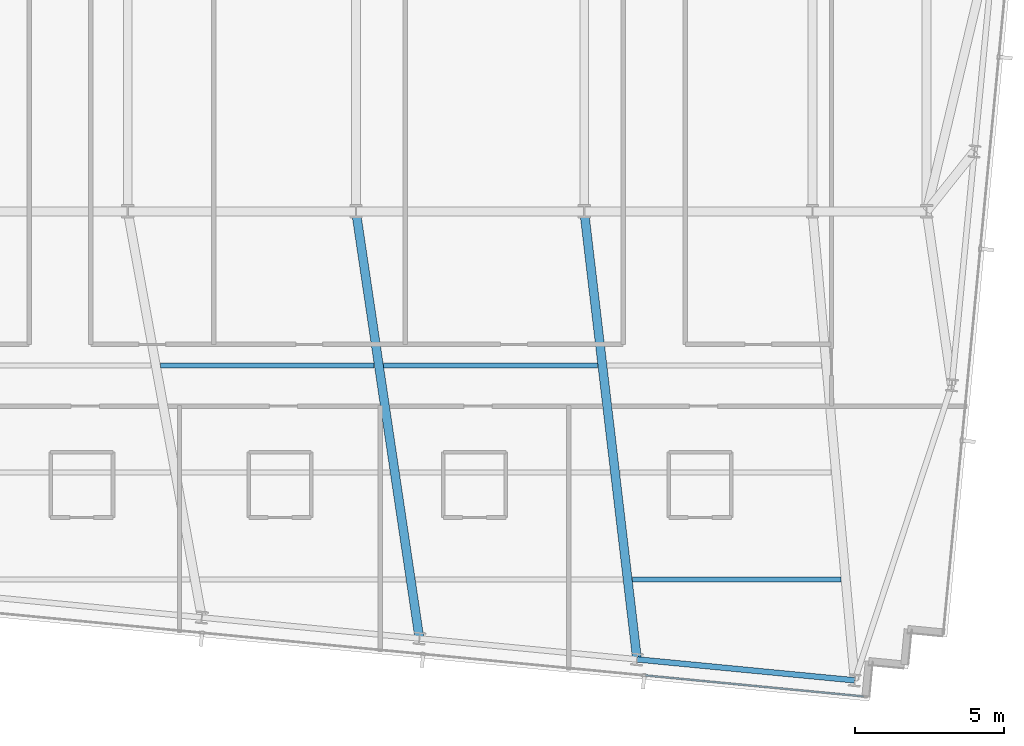
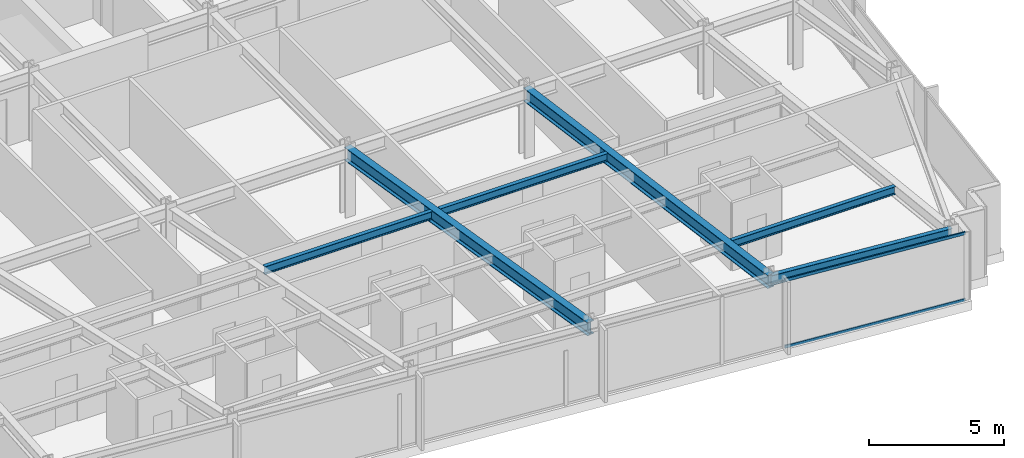
# One storey, part 13 of 37: 6 beams, 2 members, 1 element without a shape of its own.
"""IFC4 building model written with IfcOpenShell, lengths in metres."""

import ifcopenshell
import ifcopenshell.guid

model = None  # the IFC model being written
_history = None  # IfcOwnerHistory: only IFC2X3 demands one
_inside = {}  # id of a spatial element -> (the spatial element, [elements in it])
_under = {}  # id of a project, library or spatial element -> (it, [spatial elements below it])
_declared = {}  # id of a project -> (the project, [libraries it declares])
_typed = {}  # id of a type object -> (the type object, [elements of that type])
_made_of = {}  # id of a material, layer set ... -> (it, [elements and type objects made of it])


def new_model(schema):
    """Start an empty IFC model of exactly this schema.

    Asked for "IFC4X3", IfcOpenShell would pick the latest addendum, in which some entities
    have other attributes; the version numbers below select the first issue.
    IFC2X3 requires an IfcOwnerHistory on every rooted entity: one is made here for all.
    """
    global model, _history
    if schema == "IFC4X3":
        model = ifcopenshell.file(schema_version=(4, 3, 0, 0))
    else:
        model = ifcopenshell.file(schema=schema)
    _inside.clear()
    _under.clear()
    _declared.clear()
    _typed.clear()
    _made_of.clear()
    _history = None
    if model.schema == "IFC2X3":
        org = make("IfcOrganization", Name="unknown")
        user = make(
            "IfcPersonAndOrganization",
            ThePerson=make("IfcPerson", FamilyName="unknown"),
            TheOrganization=org,
        )
        app = make(
            "IfcApplication",
            ApplicationDeveloper=org,
            Version="unknown",
            ApplicationFullName="unknown",
            ApplicationIdentifier="unknown",
        )
        _history = make(
            "IfcOwnerHistory",
            OwningUser=user,
            OwningApplication=app,
            ChangeAction="ADDED",
            CreationDate=0,
        )
    return model


def make(cls, **values):
    """One entity of the class cls with the attributes given. An attribute that is None is left unset."""
    return model.create_entity(
        cls, **{name: value for name, value in values.items() if value is not None}
    )


def rooted(cls, **values):
    """An entity with a GlobalId (a new one), such as an element, a storey or a relation."""
    return make(cls, GlobalId=ifcopenshell.guid.new(), OwnerHistory=_history, **values)


def si_unit(unit_type, name, prefix=None):
    """IfcSIUnit, for example si_unit("LENGTHUNIT", "METRE", prefix="MILLI")."""
    return make("IfcSIUnit", UnitType=unit_type, Prefix=prefix, Name=name)


def assignment(units):
    """IfcUnitAssignment: the units of a project."""
    return None if units is None else make("IfcUnitAssignment", Units=units)


def point(xyz):
    """IfcCartesianPoint."""
    return None if xyz is None else make("IfcCartesianPoint", Coordinates=xyz)


def direction(xyz):
    """IfcDirection."""
    return None if xyz is None else make("IfcDirection", DirectionRatios=xyz)


def frame(location, z_axis=None, x_axis=None):
    """IfcAxis2Placement3D, a coordinate frame: its origin and axes. An axis left out is left unset."""
    return make(
        "IfcAxis2Placement3D",
        Location=point(location),
        Axis=direction(z_axis),
        RefDirection=direction(x_axis),
    )


def frame_2d(location, x_axis=None):
    """IfcAxis2Placement2D, a coordinate frame in the plane: its origin and x axis."""
    return make(
        "IfcAxis2Placement2D", Location=point(location), RefDirection=direction(x_axis)
    )


def origin():
    """The frame at (0, 0, 0) with its axes left unset."""
    return frame((0.0, 0.0, 0.0))


def origin_2d():
    """The frame at (0, 0) in the plane with its x axis left unset."""
    return frame_2d((0.0, 0.0))


def place(relative_to, where):
    """IfcLocalPlacement: puts the frame where relative to a parent placement (None: the world)."""
    return make(
        "IfcLocalPlacement", PlacementRelTo=relative_to, RelativePlacement=where
    )


def context(
    kind, dimensions, precision=None, world=None, true_north=None, identifier=None
):
    """IfcGeometricRepresentationContext, for example the 3D "Model" context."""
    return make(
        "IfcGeometricRepresentationContext",
        ContextIdentifier=identifier,
        ContextType=kind,
        CoordinateSpaceDimension=dimensions,
        Precision=precision,
        WorldCoordinateSystem=world,
        TrueNorth=true_north,
    )


def subcontext(parent, identifier, kind, view, scale=None):
    """IfcGeometricRepresentationSubContext, for example "Body" below "Model"."""
    return make(
        "IfcGeometricRepresentationSubContext",
        ContextIdentifier=identifier,
        ContextType=kind,
        ParentContext=parent,
        TargetScale=scale,
        TargetView=view,
    )


def project(units=None, contexts=None):
    """IfcProject with its units and contexts."""
    return rooted(
        "IfcProject",
        Name="project",
        RepresentationContexts=contexts,
        UnitsInContext=assignment(units),
    )


def spatial(cls, under=None, at=None, **own):
    """A site, building, storey or space (cls), placed at a placement, below another one or the project."""
    s = rooted(cls, ObjectPlacement=at, **own)
    if under is not None:
        _under.setdefault(under.id(), (under, []))[1].append(s)
    return s


def profile(cls, at=None, kind="AREA", **sizes):
    """A parametric profile (cls). Its sizes go by their IFC names, for example OverallWidth=200.0."""
    return make(cls, ProfileType=kind, Position=at, **sizes)


def hollow_rectangle(**sizes):
    """IfcRectangleHollowProfileDef."""
    return profile("IfcRectangleHollowProfileDef", **sizes)


def i_section(**sizes):
    """IfcIShapeProfileDef."""
    return profile("IfcIShapeProfileDef", **sizes)


def extrude(swept, where, along, depth):
    """IfcExtrudedAreaSolid: the profile swept, set in the frame where, extruded along a direction by depth."""
    return make(
        "IfcExtrudedAreaSolid",
        SweptArea=swept,
        Position=where,
        ExtrudedDirection=direction(along),
        Depth=depth,
    )


def shape(context_of_items, identifier, shape_type, items):
    """IfcShapeRepresentation: the items that make up one representation, for example the "Body"."""
    return make(
        "IfcShapeRepresentation",
        ContextOfItems=context_of_items,
        RepresentationIdentifier=identifier,
        RepresentationType=shape_type,
        Items=items,
    )


def material(Name=None, Category=None):
    """IfcMaterial."""
    return make("IfcMaterial", Name=Name, Category=Category)


def material_profile(
    of_material, cross_section, Name=None, Category=None, Priority=None
):
    """IfcMaterialProfile: a cross section and its material."""
    return make(
        "IfcMaterialProfile",
        Name=Name,
        Material=of_material,
        Profile=cross_section,
        Priority=Priority,
        Category=Category,
    )


def profile_set(profiles, Name=None, composite=None):
    """IfcMaterialProfileSet."""
    return make(
        "IfcMaterialProfileSet",
        Name=Name,
        MaterialProfiles=profiles,
        CompositeProfile=composite,
    )


def made_of(thing, what):
    """Note that an element or type object is made of a material, layer set ...; save() writes the relation."""
    if what is not None:
        _made_of.setdefault(what.id(), (what, []))[1].append(thing)
    return thing


def type_object(cls, material=None, **own):
    """A type object (cls), such as IfcWallType, which elements share."""
    return made_of(rooted(cls, **own), material)


def element(
    cls,
    number,
    at=None,
    inside=None,
    cuts=None,
    type_object=None,
    material=None,
    context=None,
    identifier="Body",
    shape_type=None,
    held_by="IfcProductDefinitionShape",
    body=None,
    shapes=None,
    **own,
):
    """One element of the class cls, such as IfcWall. Its Tag is "e" and its number.

    at: its placement. inside: the storey or other place that contains it. cuts: it is an
    opening in that element (IfcRelVoidsElement). A single representation is given by context,
    identifier, shape_type and body (its items); several are given by shapes. held_by: the class
    of the entity that holds the representations. save() writes the other relations.
    """
    e = rooted(cls, Tag="e%d" % number, ObjectPlacement=at, **own)
    if body is not None:
        shapes = [shape(context, identifier, shape_type, body)]
    if shapes is not None:
        e.Representation = make(held_by, Representations=shapes)
    if inside is not None:
        _inside.setdefault(inside.id(), (inside, []))[1].append(e)
    if cuts is not None:
        rooted(
            "IfcRelVoidsElement", RelatingBuildingElement=cuts, RelatedOpeningElement=e
        )
    if type_object is not None:
        _typed.setdefault(type_object.id(), (type_object, []))[1].append(e)
    return made_of(e, material)


def aggregate(whole, parts):
    """IfcRelAggregates: a whole, such as a stair, and the parts it consists of."""
    return rooted("IfcRelAggregates", RelatingObject=whole, RelatedObjects=parts)


def save(model, path):
    """Write the relations noted so far, then the file.

    IfcRelAggregates (storeys below a building ...), IfcRelContainedInSpatialStructure (elements
    in a storey), IfcRelDefinesByType, IfcRelAssociatesMaterial and IfcRelDeclares: one each for
    every whole, place, type object, material and project.
    """
    for whole, parts in _under.values():
        aggregate(whole, parts)
    for where, things in _inside.values():
        rooted(
            "IfcRelContainedInSpatialStructure",
            RelatedElements=things,
            RelatingStructure=where,
        )
    for kind, things in _typed.values():
        rooted("IfcRelDefinesByType", RelatedObjects=things, RelatingType=kind)
    for what, things in _made_of.values():
        rooted("IfcRelAssociatesMaterial", RelatedObjects=things, RelatingMaterial=what)
    for by, libraries in _declared.values():
        rooted("IfcRelDeclares", RelatingContext=by, RelatedDefinitions=libraries)
    model.write(path)


model = new_model("IFC4")

# Units and contexts
model_context = context("Model", 3, precision=1e-05, world=origin(), true_north=direction((0.0, 1.0)))
body_context = subcontext(model_context, "Body", "Model", "MODEL_VIEW")
ifc_project = project(units=[si_unit("LENGTHUNIT", "METRE"), si_unit("AREAUNIT", "SQUARE_METRE"), si_unit("VOLUMEUNIT", "CUBIC_METRE"), si_unit("PLANEANGLEUNIT", "RADIAN"), si_unit("MASSUNIT", "GRAM", prefix="KILO")], contexts=[model_context])

# Site, building, storey
site_placement = place(None, origin())
site = spatial("IfcSite", under=ifc_project, at=site_placement, CompositionType="ELEMENT")
building_placement = place(site_placement, origin())
building = spatial("IfcBuilding", under=site, at=building_placement, Name="Yelkora Congress Tower", CompositionType="ELEMENT")
storey_placement = place(building_placement, frame((0.0, 0.0, 149.0)))
storey = spatial("IfcBuildingStorey", under=building, at=storey_placement, Name="L40", CompositionType="ELEMENT", Elevation=149.0)

# Beams
ifc_material_1 = material(Name="Steel S355J2", Category="steel")
ifc_material_profile_1 = material_profile(ifc_material_1, i_section(OverallWidth=0.300048828125, OverallDepth=0.60009765625, WebThickness=0.015380859375, FlangeThickness=0.030029296875, FilletRadius=0.027099609375, at=origin_2d()), Name="HEB 600")
ifc_profile_set_1 = profile_set([ifc_material_profile_1], Name="Steel S355J2")
beam_type_1 = type_object("IfcBeamType", Name="BM-GIRD-HEB600", PredefinedType="BEAM", material=ifc_profile_set_1)
beam_1_placement = place(storey_placement, frame((40.53564453125, 10.83154296875, 2.780029296875), z_axis=(-0.147026183693, 0.989132600468, 0.0), x_axis=(-0.989132600468, -0.147026183693, 0.0)))
element("IfcBeam", 1, at=beam_1_placement, inside=storey, type_object=beam_type_1, Name="L40 Primary Frame Girder S06", PredefinedType="BEAM", context=body_context, shape_type="SweptSolid", body=[
    extrude(i_section(OverallWidth=0.300048828125, OverallDepth=0.60009765625, WebThickness=0.015380859375, FlangeThickness=0.030029296875, FilletRadius=0.027099609375, at=origin_2d()), origin(), (0.0, 0.0, 1.0), 14.5263671875),
])
beam_2_placement = place(storey_placement, frame((47.85888671875, 10.12646484375, 2.780029296875), z_axis=(-0.117195880411, 0.993108818617, 0.0), x_axis=(-0.993108818617, -0.117195880411, 0.0)))
element("IfcBeam", 2, at=beam_2_placement, inside=storey, type_object=beam_type_1, Name="L40 Primary Frame Girder S07", PredefinedType="BEAM", context=body_context, shape_type="SweptSolid", body=[
    extrude(i_section(OverallWidth=0.300048828125, OverallDepth=0.60009765625, WebThickness=0.015380859375, FlangeThickness=0.030029296875, FilletRadius=0.027099609375, at=origin_2d()), origin(), (0.0, 0.0, 1.0), 15.177978515625),
])
ifc_material_profile_2 = material_profile(ifc_material_1, i_section(OverallWidth=0.169921875, OverallDepth=0.360107421875, WebThickness=0.008056640625, FlangeThickness=0.0126953125, FilletRadius=0.01806640625, at=origin_2d()), Name="IPE 360")
ifc_profile_set_2 = profile_set([ifc_material_profile_2], Name="Steel S355J2")
beam_type_2 = type_object("IfcBeamType", Name="BM-JOIST-IPE360", PredefinedType="JOIST", material=ifc_profile_set_2)
beam_3_placement = place(storey_placement, frame((47.700927734375, 12.8212890625, 2.89990234375), z_axis=(1.0, 0.0, 0.0), x_axis=(0.0, 1.0, 0.0)))
element("IfcBeam", 3, at=beam_3_placement, inside=storey, type_object=beam_type_2, Name="L40 Composite Floor Joist 4", PredefinedType="JOIST", context=body_context, shape_type="SweptSolid", body=[
    extrude(i_section(OverallWidth=0.169921875, OverallDepth=0.360107421875, WebThickness=0.008056640625, FlangeThickness=0.0126953125, FilletRadius=0.01806640625, at=origin_2d()), origin(), (0.0, 0.0, 1.0), 7.014892578125),
])
beam_4_placement = place(storey_placement, frame((31.82470703125, 20.021240234375, 2.89990234375), z_axis=(1.0, 0.0, 0.0), x_axis=(0.0, 1.0, 0.0)))
element("IfcBeam", 4, at=beam_4_placement, inside=storey, type_object=beam_type_2, Name="L40 Composite Floor Joist 16", PredefinedType="JOIST", context=body_context, shape_type="SweptSolid", body=[
    extrude(i_section(OverallWidth=0.169921875, OverallDepth=0.360107421875, WebThickness=0.008056640625, FlangeThickness=0.0126953125, FilletRadius=0.01806640625, at=origin_2d()), origin(), (0.0, 0.0, 1.0), 7.18505859375),
])
beam_5_placement = place(storey_placement, frame((39.32958984375, 20.021240234375, 2.89990234375), z_axis=(1.0, 0.0, 0.0), x_axis=(0.0, 1.0, 0.0)))
element("IfcBeam", 5, at=beam_5_placement, inside=storey, type_object=beam_type_2, Name="L40 Composite Floor Joist 17", PredefinedType="JOIST", context=body_context, shape_type="SweptSolid", body=[
    extrude(i_section(OverallWidth=0.169921875, OverallDepth=0.360107421875, WebThickness=0.008056640625, FlangeThickness=0.0126953125, FilletRadius=0.01806640625, at=origin_2d()), origin(), (0.0, 0.0, 1.0), 7.20166015625),
])
ifc_material_profile_3 = material_profile(ifc_material_1, i_section(OverallWidth=0.18994140625, OverallDepth=0.449951171875, WebThickness=0.009521484375, FlangeThickness=0.0146484375, FilletRadius=0.02099609375, at=origin_2d()), Name="IPE 450")
ifc_profile_set_3 = profile_set([ifc_material_profile_3], Name="Steel S355J2")
beam_type_3 = type_object("IfcBeamType", Name="BM-SPAN-IPE450", PredefinedType="SPANDREL", material=ifc_profile_set_3)
beam_6_placement = place(storey_placement, frame((47.85888671875, 10.12646484375, 2.85498046875), z_axis=(0.995393938538, -0.095869218844, 0.0), x_axis=(0.095869218844, 0.995393938538, 0.0)))
element("IfcBeam", 6, at=beam_6_placement, inside=storey, type_object=beam_type_3, Name="L40 Perimeter Beam 8", PredefinedType="SPANDREL", context=body_context, shape_type="SweptSolid", body=[
    extrude(i_section(OverallWidth=0.18994140625, OverallDepth=0.449951171875, WebThickness=0.009521484375, FlangeThickness=0.0146484375, FilletRadius=0.02099609375, at=origin_2d()), origin(), (0.0, 0.0, 1.0), 7.357177734375),
])

# Curtain wall, members
ifc_material_2 = material(Name="Anodised aluminium and insulated glass", Category="aluminium")
curtain_wall_type = type_object("IfcCurtainWallType", Name="CW-SYS-B3", PredefinedType="NOTDEFINED", material=ifc_material_2)
curtain_wall_placement = place(storey_placement, origin())
curtain_wall = element("IfcCurtainWall", 7, at=curtain_wall_placement, inside=storey, type_object=curtain_wall_type, Name="L40 Unitised Curtain Wall 20", PredefinedType="NOTDEFINED")
ifc_material_3 = material(Name="Anodised aluminium 6063-T6", Category="aluminium")
ifc_material_profile_4 = material_profile(ifc_material_3, hollow_rectangle(XDim=0.06005859375, YDim=0.1298828125, WallThickness=0.00390625, at=origin_2d()), Name="ALU 60x130x4")
ifc_profile_set_4 = profile_set([ifc_material_profile_4], Name="Anodised aluminium 6063-T6")
member_type = type_object("IfcMemberType", Name="MEM-TR-B3", PredefinedType="USERDEFINED", material=ifc_profile_set_4)
member_1_placement = place(storey_placement, frame((55.4716796875, 8.881103515625, 0.030029296875), z_axis=(-0.995396212442, 0.095845606344, 0.0), x_axis=(-0.095845606344, -0.995396212442, 0.0)))
member_1 = element("IfcMember", 8, at=member_1_placement, type_object=member_type, Name="CW-B3 transom 1.1", ObjectType="TRANSOM", PredefinedType="USERDEFINED", context=body_context, shape_type="SweptSolid", body=[
    extrude(hollow_rectangle(XDim=0.06005859375, YDim=0.1298828125, WallThickness=0.00390625, at=origin_2d()), origin(), (0.0, 0.0, 1.0), 7.369140625),
])
member_2_placement = place(storey_placement, frame((55.4716796875, 8.881103515625, 3.050048828125), z_axis=(-0.995396212442, 0.095845606344, 0.0), x_axis=(-0.095845606344, -0.995396212442, 0.0)))
member_2 = element("IfcMember", 9, at=member_2_placement, type_object=member_type, Name="CW-B3 transom 1.2", ObjectType="TRANSOM", PredefinedType="USERDEFINED", context=body_context, shape_type="SweptSolid", body=[
    extrude(hollow_rectangle(XDim=0.06005859375, YDim=0.1298828125, WallThickness=0.00390625, at=origin_2d()), origin(), (0.0, 0.0, 1.0), 7.369140625),
])
aggregate(curtain_wall, [member_1, member_2])

save(model, "model.ifc")
